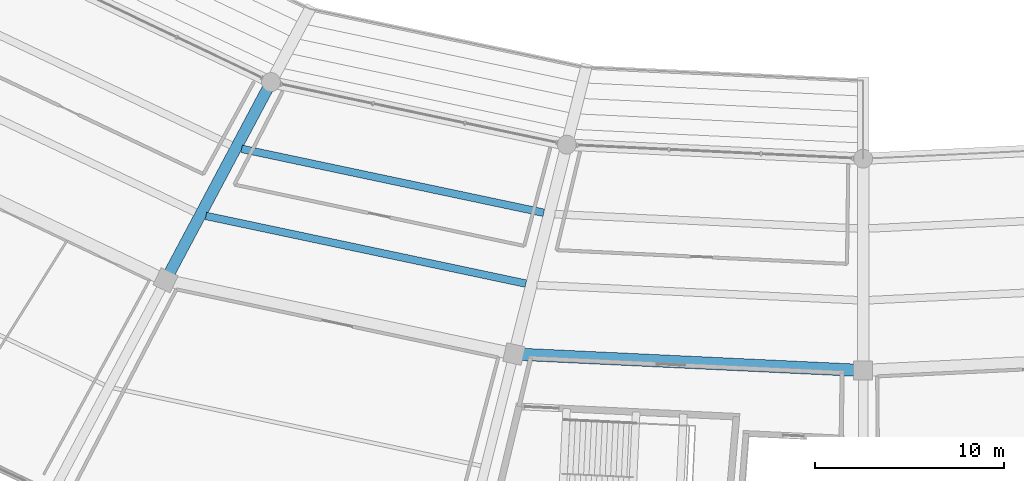
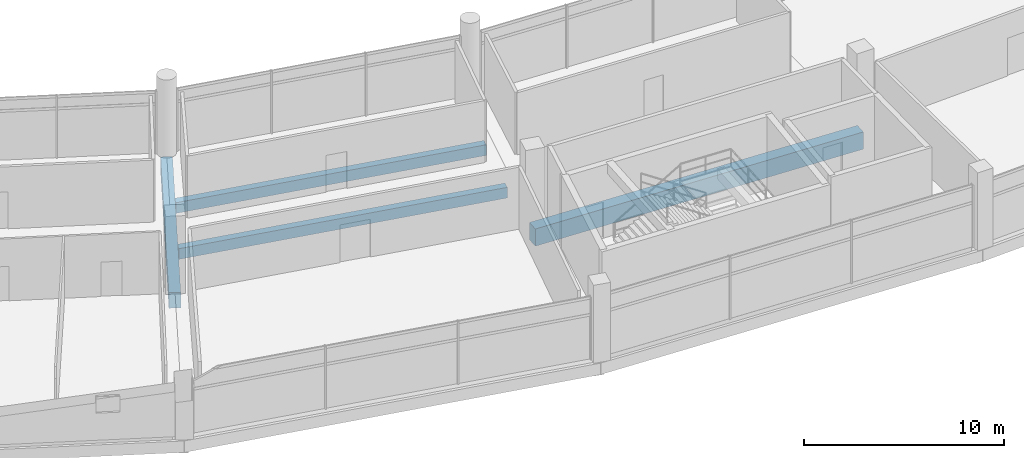
# One storey, part 20 of 171: 4 beams.
"""IFC4 building model written with IfcOpenShell, lengths in metres."""

from ifc_helpers import new_model, si_unit, direction, frame, origin, origin_2d, place, context, subcontext, project, spatial, rectangle, extrude, material, material_profile, profile_set, type_object, element, save


model = new_model("IFC4")

# Units and contexts
model_context = context("Model", 3, precision=1e-05, world=origin(), true_north=direction((0.0, 1.0)))
body_context = subcontext(model_context, "Body", "Model", "MODEL_VIEW")
ifc_project = project(units=[si_unit("LENGTHUNIT", "METRE"), si_unit("AREAUNIT", "SQUARE_METRE"), si_unit("VOLUMEUNIT", "CUBIC_METRE"), si_unit("PLANEANGLEUNIT", "RADIAN"), si_unit("MASSUNIT", "GRAM", prefix="KILO")], contexts=[model_context])

# Site, building, storey
site_placement = place(None, origin())
site = spatial("IfcSite", under=ifc_project, at=site_placement, CompositionType="ELEMENT")
building_placement = place(site_placement, origin())
building = spatial("IfcBuilding", under=site, at=building_placement, Name="Kazemori Nagisa Stadium", CompositionType="ELEMENT")
storey_placement = place(building_placement, frame((0.0, 0.0, 15.639892578125)))
storey = spatial("IfcBuildingStorey", under=building, at=storey_placement, Name="L03", CompositionType="ELEMENT", Elevation=15.639892578125)

# Beams
ifc_material = material(Name="Concrete C40/50 (Fc42)", Category="concrete")
ifc_material_profile_1 = material_profile(ifc_material, rectangle(XDim=0.60009765625, YDim=0.949951171875, at=origin_2d()), Name="RC-BM-600x950")
ifc_profile_set_1 = profile_set([ifc_material_profile_1], Name="Concrete C40/50 (Fc42)")
beam_type_1 = type_object("IfcBeamType", Name="Beam_BG-RC600X950", PredefinedType="BEAM", material=ifc_profile_set_1)
beam_1_placement = place(storey_placement, frame((91.75244140625, 43.260986328125, -0.73486328125), z_axis=(-0.469646804203, -0.882854393036, 0.0), x_axis=(0.882854393036, -0.469646804203, 0.0)))
element("IfcBeam", 1, at=beam_1_placement, inside=storey, type_object=beam_type_1, Name="Radial girder BG-RC600X950 L03 R1-R2-20", PredefinedType="BEAM", context=body_context, shape_type="SweptSolid", body=[
    extrude(rectangle(XDim=0.60009765625, YDim=0.949951171875, at=origin_2d()), origin(), (0.0, 0.0, 1.0), 11.84814453125),
])
ifc_material_profile_2 = material_profile(ifc_material, rectangle(XDim=0.64990234375, YDim=1.050048828125, at=origin_2d()), Name="RC-BM-650x1050")
ifc_profile_set_2 = profile_set([ifc_material_profile_2], Name="Concrete C40/50 (Fc42)")
beam_type_2 = type_object("IfcBeamType", Name="Beam_BG-RC650X1050", PredefinedType="BEAM", material=ifc_profile_set_2)
beam_2_placement = place(storey_placement, frame((104.572265625, 28.911376953125, -0.784912109375), z_axis=(0.9988839804, -0.047231278829, 0.0), x_axis=(0.047231278829, 0.9988839804, 0.0)))
element("IfcBeam", 2, at=beam_2_placement, inside=storey, type_object=beam_type_2, Name="Ring girder BG-RC650X1050 L03 R2-21", PredefinedType="BEAM", context=body_context, shape_type="SweptSolid", body=[
    extrude(rectangle(XDim=0.64990234375, YDim=1.050048828125, at=origin_2d()), origin(), (0.0, 0.0, 1.0), 18.4482421875),
])
ifc_material_profile_3 = material_profile(ifc_material, rectangle(XDim=0.39990234375, YDim=0.64990234375, at=origin_2d()), Name="RC-BM-400x650")
ifc_profile_set_3 = profile_set([ifc_material_profile_3], Name="Concrete C40/50 (Fc42)")
beam_type_3 = type_object("IfcBeamType", Name="Beam_BJ-RC400X650", PredefinedType="JOIST", material=ifc_profile_set_3)
beam_3_placement = place(storey_placement, frame((90.200439453125, 39.739990234375, -0.5849609375), z_axis=(0.978345737153, -0.206977338361, 0.0), x_axis=(0.206977338361, 0.978345737153, 0.0)))
element("IfcBeam", 3, at=beam_3_placement, inside=storey, type_object=beam_type_3, Name="Concourse joist BJ-RC400X650 L03 B20-1", PredefinedType="JOIST", context=body_context, shape_type="SweptSolid", body=[
    extrude(rectangle(XDim=0.39990234375, YDim=0.64990234375, at=origin_2d()), origin(), (0.0, 0.0, 1.0), 16.30029296875),
])
beam_4_placement = place(storey_placement, frame((88.317138671875, 36.19970703125, -0.5849609375), z_axis=(0.97834325925, -0.206989050628, 0.0), x_axis=(0.206989050628, 0.97834325925, 0.0)))
element("IfcBeam", 4, at=beam_4_placement, inside=storey, type_object=beam_type_3, Name="Concourse joist BJ-RC400X650 L03 B20-2", PredefinedType="JOIST", context=body_context, shape_type="SweptSolid", body=[
    extrude(rectangle(XDim=0.39990234375, YDim=0.64990234375, at=origin_2d()), origin(), (0.0, 0.0, 1.0), 17.26171875),
])

save(model, "model.ifc")
